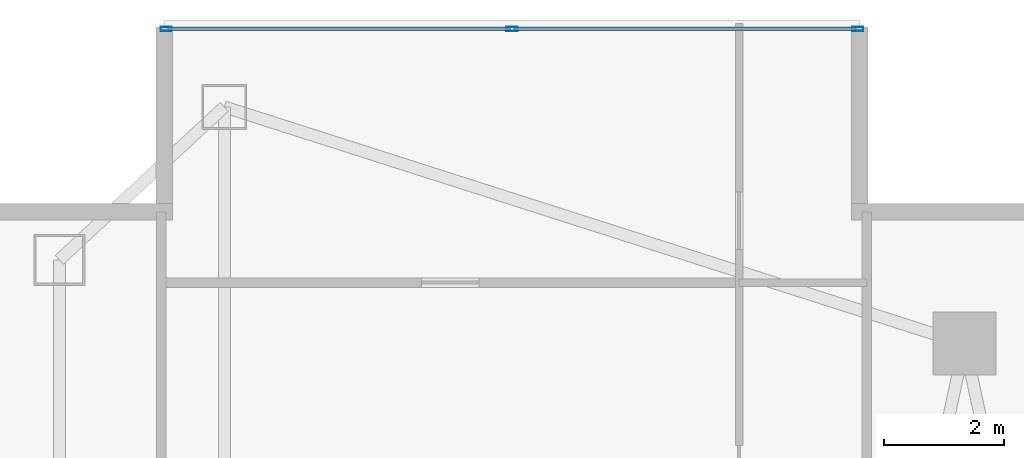
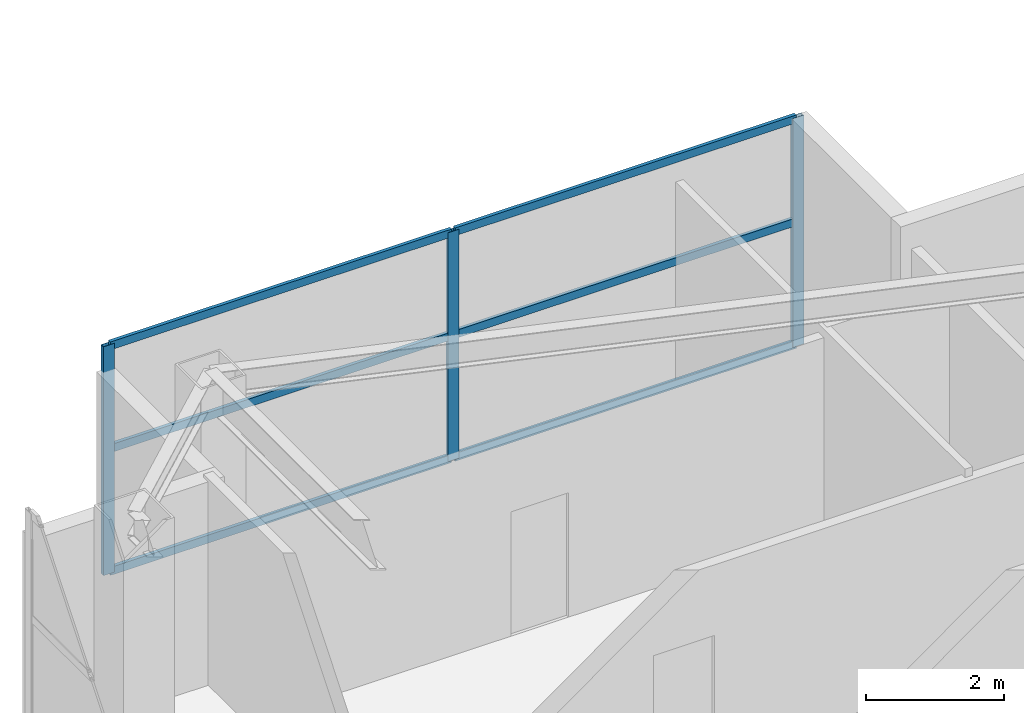
# One storey, part 21 of 30: 9 members, 1 element without a shape of its own.
"""IFC4 building model written with IfcOpenShell, lengths in metres."""

import ifcopenshell
import ifcopenshell.guid

model = None  # the IFC model being written
_history = None  # IfcOwnerHistory: only IFC2X3 demands one
_inside = {}  # id of a spatial element -> (the spatial element, [elements in it])
_under = {}  # id of a project, library or spatial element -> (it, [spatial elements below it])
_declared = {}  # id of a project -> (the project, [libraries it declares])
_typed = {}  # id of a type object -> (the type object, [elements of that type])
_made_of = {}  # id of a material, layer set ... -> (it, [elements and type objects made of it])


def new_model(schema):
    """Start an empty IFC model of exactly this schema.

    Asked for "IFC4X3", IfcOpenShell would pick the latest addendum, in which some entities
    have other attributes; the version numbers below select the first issue.
    IFC2X3 requires an IfcOwnerHistory on every rooted entity: one is made here for all.
    """
    global model, _history
    if schema == "IFC4X3":
        model = ifcopenshell.file(schema_version=(4, 3, 0, 0))
    else:
        model = ifcopenshell.file(schema=schema)
    _inside.clear()
    _under.clear()
    _declared.clear()
    _typed.clear()
    _made_of.clear()
    _history = None
    if model.schema == "IFC2X3":
        org = make("IfcOrganization", Name="unknown")
        user = make(
            "IfcPersonAndOrganization",
            ThePerson=make("IfcPerson", FamilyName="unknown"),
            TheOrganization=org,
        )
        app = make(
            "IfcApplication",
            ApplicationDeveloper=org,
            Version="unknown",
            ApplicationFullName="unknown",
            ApplicationIdentifier="unknown",
        )
        _history = make(
            "IfcOwnerHistory",
            OwningUser=user,
            OwningApplication=app,
            ChangeAction="ADDED",
            CreationDate=0,
        )
    return model


def make(cls, **values):
    """One entity of the class cls with the attributes given. An attribute that is None is left unset."""
    return model.create_entity(
        cls, **{name: value for name, value in values.items() if value is not None}
    )


def rooted(cls, **values):
    """An entity with a GlobalId (a new one), such as an element, a storey or a relation."""
    return make(cls, GlobalId=ifcopenshell.guid.new(), OwnerHistory=_history, **values)


def si_unit(unit_type, name, prefix=None):
    """IfcSIUnit, for example si_unit("LENGTHUNIT", "METRE", prefix="MILLI")."""
    return make("IfcSIUnit", UnitType=unit_type, Prefix=prefix, Name=name)


def assignment(units):
    """IfcUnitAssignment: the units of a project."""
    return None if units is None else make("IfcUnitAssignment", Units=units)


def point(xyz):
    """IfcCartesianPoint."""
    return None if xyz is None else make("IfcCartesianPoint", Coordinates=xyz)


def direction(xyz):
    """IfcDirection."""
    return None if xyz is None else make("IfcDirection", DirectionRatios=xyz)


def frame(location, z_axis=None, x_axis=None):
    """IfcAxis2Placement3D, a coordinate frame: its origin and axes. An axis left out is left unset."""
    return make(
        "IfcAxis2Placement3D",
        Location=point(location),
        Axis=direction(z_axis),
        RefDirection=direction(x_axis),
    )


def frame_2d(location, x_axis=None):
    """IfcAxis2Placement2D, a coordinate frame in the plane: its origin and x axis."""
    return make(
        "IfcAxis2Placement2D", Location=point(location), RefDirection=direction(x_axis)
    )


def origin():
    """The frame at (0, 0, 0) with its axes left unset."""
    return frame((0.0, 0.0, 0.0))


def origin_2d():
    """The frame at (0, 0) in the plane with its x axis left unset."""
    return frame_2d((0.0, 0.0))


def place(relative_to, where):
    """IfcLocalPlacement: puts the frame where relative to a parent placement (None: the world)."""
    return make(
        "IfcLocalPlacement", PlacementRelTo=relative_to, RelativePlacement=where
    )


def context(
    kind, dimensions, precision=None, world=None, true_north=None, identifier=None
):
    """IfcGeometricRepresentationContext, for example the 3D "Model" context."""
    return make(
        "IfcGeometricRepresentationContext",
        ContextIdentifier=identifier,
        ContextType=kind,
        CoordinateSpaceDimension=dimensions,
        Precision=precision,
        WorldCoordinateSystem=world,
        TrueNorth=true_north,
    )


def subcontext(parent, identifier, kind, view, scale=None):
    """IfcGeometricRepresentationSubContext, for example "Body" below "Model"."""
    return make(
        "IfcGeometricRepresentationSubContext",
        ContextIdentifier=identifier,
        ContextType=kind,
        ParentContext=parent,
        TargetScale=scale,
        TargetView=view,
    )


def project(units=None, contexts=None):
    """IfcProject with its units and contexts."""
    return rooted(
        "IfcProject",
        Name="project",
        RepresentationContexts=contexts,
        UnitsInContext=assignment(units),
    )


def spatial(cls, under=None, at=None, **own):
    """A site, building, storey or space (cls), placed at a placement, below another one or the project."""
    s = rooted(cls, ObjectPlacement=at, **own)
    if under is not None:
        _under.setdefault(under.id(), (under, []))[1].append(s)
    return s


def profile(cls, at=None, kind="AREA", **sizes):
    """A parametric profile (cls). Its sizes go by their IFC names, for example OverallWidth=200.0."""
    return make(cls, ProfileType=kind, Position=at, **sizes)


def hollow_rectangle(**sizes):
    """IfcRectangleHollowProfileDef."""
    return profile("IfcRectangleHollowProfileDef", **sizes)


def extrude(swept, where, along, depth):
    """IfcExtrudedAreaSolid: the profile swept, set in the frame where, extruded along a direction by depth."""
    return make(
        "IfcExtrudedAreaSolid",
        SweptArea=swept,
        Position=where,
        ExtrudedDirection=direction(along),
        Depth=depth,
    )


def shape(context_of_items, identifier, shape_type, items):
    """IfcShapeRepresentation: the items that make up one representation, for example the "Body"."""
    return make(
        "IfcShapeRepresentation",
        ContextOfItems=context_of_items,
        RepresentationIdentifier=identifier,
        RepresentationType=shape_type,
        Items=items,
    )


def material(Name=None, Category=None):
    """IfcMaterial."""
    return make("IfcMaterial", Name=Name, Category=Category)


def layer(
    of_material, thickness, ventilated=None, Name=None, Category=None, Priority=None
):
    """IfcMaterialLayer: one layer of a wall or slab, of a material (None: an air gap)."""
    return make(
        "IfcMaterialLayer",
        Material=of_material,
        LayerThickness=thickness,
        IsVentilated=ventilated,
        Name=Name,
        Category=Category,
        Priority=Priority,
    )


def layer_set(layers, Name=None):
    """IfcMaterialLayerSet."""
    return make("IfcMaterialLayerSet", MaterialLayers=layers, LayerSetName=Name)


def material_profile(
    of_material, cross_section, Name=None, Category=None, Priority=None
):
    """IfcMaterialProfile: a cross section and its material."""
    return make(
        "IfcMaterialProfile",
        Name=Name,
        Material=of_material,
        Profile=cross_section,
        Priority=Priority,
        Category=Category,
    )


def profile_set(profiles, Name=None, composite=None):
    """IfcMaterialProfileSet."""
    return make(
        "IfcMaterialProfileSet",
        Name=Name,
        MaterialProfiles=profiles,
        CompositeProfile=composite,
    )


def made_of(thing, what):
    """Note that an element or type object is made of a material, layer set ...; save() writes the relation."""
    if what is not None:
        _made_of.setdefault(what.id(), (what, []))[1].append(thing)
    return thing


def type_object(cls, material=None, **own):
    """A type object (cls), such as IfcWallType, which elements share."""
    return made_of(rooted(cls, **own), material)


def element(
    cls,
    number,
    at=None,
    inside=None,
    cuts=None,
    type_object=None,
    material=None,
    context=None,
    identifier="Body",
    shape_type=None,
    held_by="IfcProductDefinitionShape",
    body=None,
    shapes=None,
    **own,
):
    """One element of the class cls, such as IfcWall. Its Tag is "e" and its number.

    at: its placement. inside: the storey or other place that contains it. cuts: it is an
    opening in that element (IfcRelVoidsElement). A single representation is given by context,
    identifier, shape_type and body (its items); several are given by shapes. held_by: the class
    of the entity that holds the representations. save() writes the other relations.
    """
    e = rooted(cls, Tag="e%d" % number, ObjectPlacement=at, **own)
    if body is not None:
        shapes = [shape(context, identifier, shape_type, body)]
    if shapes is not None:
        e.Representation = make(held_by, Representations=shapes)
    if inside is not None:
        _inside.setdefault(inside.id(), (inside, []))[1].append(e)
    if cuts is not None:
        rooted(
            "IfcRelVoidsElement", RelatingBuildingElement=cuts, RelatedOpeningElement=e
        )
    if type_object is not None:
        _typed.setdefault(type_object.id(), (type_object, []))[1].append(e)
    return made_of(e, material)


def aggregate(whole, parts):
    """IfcRelAggregates: a whole, such as a stair, and the parts it consists of."""
    return rooted("IfcRelAggregates", RelatingObject=whole, RelatedObjects=parts)


def save(model, path):
    """Write the relations noted so far, then the file.

    IfcRelAggregates (storeys below a building ...), IfcRelContainedInSpatialStructure (elements
    in a storey), IfcRelDefinesByType, IfcRelAssociatesMaterial and IfcRelDeclares: one each for
    every whole, place, type object, material and project.
    """
    for whole, parts in _under.values():
        aggregate(whole, parts)
    for where, things in _inside.values():
        rooted(
            "IfcRelContainedInSpatialStructure",
            RelatedElements=things,
            RelatingStructure=where,
        )
    for kind, things in _typed.values():
        rooted("IfcRelDefinesByType", RelatedObjects=things, RelatingType=kind)
    for what, things in _made_of.values():
        rooted("IfcRelAssociatesMaterial", RelatedObjects=things, RelatingMaterial=what)
    for by, libraries in _declared.values():
        rooted("IfcRelDeclares", RelatingContext=by, RelatedDefinitions=libraries)
    model.write(path)


model = new_model("IFC4")

# Units and contexts
model_context = context("Model", 3, precision=1e-05, world=origin(), true_north=direction((0.0, 1.0)))
body_context = subcontext(model_context, "Body", "Model", "MODEL_VIEW")
ifc_project = project(units=[si_unit("LENGTHUNIT", "METRE"), si_unit("AREAUNIT", "SQUARE_METRE"), si_unit("VOLUMEUNIT", "CUBIC_METRE"), si_unit("PLANEANGLEUNIT", "RADIAN"), si_unit("MASSUNIT", "GRAM", prefix="KILO")], contexts=[model_context])

# Site, building, storey
site_placement = place(None, origin())
site = spatial("IfcSite", under=ifc_project, at=site_placement, CompositionType="ELEMENT")
building_placement = place(site_placement, origin())
building = spatial("IfcBuilding", under=site, at=building_placement, Name="Calvorn Quay Hotel", CompositionType="ELEMENT")
storey_placement = place(building_placement, frame((0.0, 0.0, 195.10009765625)))
storey = spatial("IfcBuildingStorey", under=building, at=storey_placement, Name="L48", CompositionType="ELEMENT", Elevation=195.10009765625)

# Curtain wall, members
ifc_material_1 = material(Name="Champagne Bronze Anodised Aluminium and Low-E Glass", Category="aluminium")
ifc_layer = layer(ifc_material_1, 0.219970703125)
ifc_layer_set = layer_set([ifc_layer], Name="CW-SYS-Z3")
curtain_wall_type = type_object("IfcCurtainWallType", Name="CW-SYS-Z3", PredefinedType="NOTDEFINED", material=ifc_layer_set)
curtain_wall_placement = place(storey_placement, origin())
curtain_wall = element("IfcCurtainWall", 1, at=curtain_wall_placement, inside=storey, type_object=curtain_wall_type, Name="Inner Court Curtain Wall L48-N1", PredefinedType="NOTDEFINED")
ifc_material_2 = material(Name="Champagne Bronze Anodised Aluminium 6063-T6", Category="aluminium")
ifc_material_profile_1 = material_profile(ifc_material_2, hollow_rectangle(XDim=0.068115234375, YDim=0.18505859375, WallThickness=0.00390625, at=origin_2d()), Name="ALU-M185x68x4")
ifc_profile_set_1 = profile_set([ifc_material_profile_1], Name="Champagne Bronze Anodised Aluminium 6063-T6")
member_type_1 = type_object("IfcMemberType", Name="CW-SYS-Z3-MUL", PredefinedType="MULLION", material=ifc_profile_set_1)
member_1_placement = place(storey_placement, frame((14.77001953125, 50.85009765625, 0.0), z_axis=(0.0, 0.0, 1.0), x_axis=(0.0, -1.0, 0.0)))
member_1 = element("IfcMember", 2, at=member_1_placement, type_object=member_type_1, Name="CW-L48-N1 mullion 1", PredefinedType="MULLION", context=body_context, shape_type="SweptSolid", body=[
    extrude(hollow_rectangle(XDim=0.068115234375, YDim=0.18505859375, WallThickness=0.00390625, at=origin_2d()), origin(), (0.0, 0.0, 1.0), 4.0498046875),
])
member_2_placement = place(storey_placement, frame((9.0, 50.85009765625, 0.0), z_axis=(0.0, 0.0, 1.0), x_axis=(0.0, -1.0, 0.0)))
member_2 = element("IfcMember", 3, at=member_2_placement, type_object=member_type_1, Name="CW-L48-N1 mullion 2", PredefinedType="MULLION", context=body_context, shape_type="SweptSolid", body=[
    extrude(hollow_rectangle(XDim=0.068115234375, YDim=0.18505859375, WallThickness=0.00390625, at=origin_2d()), origin(), (0.0, 0.0, 1.0), 4.0498046875),
])
member_3_placement = place(storey_placement, frame((3.22998046875, 50.85009765625, 0.0), z_axis=(0.0, 0.0, 1.0), x_axis=(0.0, -1.0, 0.0)))
member_3 = element("IfcMember", 4, at=member_3_placement, type_object=member_type_1, Name="CW-L48-N1 mullion 3", PredefinedType="MULLION", context=body_context, shape_type="SweptSolid", body=[
    extrude(hollow_rectangle(XDim=0.068115234375, YDim=0.18505859375, WallThickness=0.00390625, at=origin_2d()), origin(), (0.0, 0.0, 1.0), 4.0498046875),
])
ifc_material_3 = material(Name="Champagne Bronze Anodised Aluminium 6063-T6", Category="aluminium")
ifc_material_profile_2 = material_profile(ifc_material_3, hollow_rectangle(XDim=0.05810546875, YDim=0.139892578125, WallThickness=0.003173828125, at=origin_2d()), Name="ALU-T140x58x3.2")
ifc_profile_set_2 = profile_set([ifc_material_profile_2], Name="Champagne Bronze Anodised Aluminium 6063-T6")
member_type_2 = type_object("IfcMemberType", Name="CW-SYS-Z3-TRN", PredefinedType="USERDEFINED", material=ifc_profile_set_2)
member_4_placement = place(storey_placement, frame((14.739990234375, 50.85009765625, 0.02978515625), z_axis=(-1.0, 0.0, 0.0), x_axis=(0.0, -1.0, 0.0)))
member_4 = element("IfcMember", 5, at=member_4_placement, type_object=member_type_2, Name="CW-L48-N1 transom 1.1", ObjectType="TRANSOM", PredefinedType="USERDEFINED", context=body_context, shape_type="SweptSolid", body=[
    extrude(hollow_rectangle(XDim=0.05810546875, YDim=0.139892578125, WallThickness=0.003173828125, at=origin_2d()), origin(), (0.0, 0.0, 1.0), 5.7099609375),
])
member_5_placement = place(storey_placement, frame((14.739990234375, 50.85009765625, 2.199951171875), z_axis=(-1.0, 0.0, 0.0), x_axis=(0.0, -1.0, 0.0)))
member_5 = element("IfcMember", 6, at=member_5_placement, type_object=member_type_2, Name="CW-L48-N1 transom 1.2", ObjectType="TRANSOM", PredefinedType="USERDEFINED", context=body_context, shape_type="SweptSolid", body=[
    extrude(hollow_rectangle(XDim=0.05810546875, YDim=0.139892578125, WallThickness=0.003173828125, at=origin_2d()), origin(), (0.0, 0.0, 1.0), 5.7099609375),
])
member_6_placement = place(storey_placement, frame((14.739990234375, 50.85009765625, 4.02001953125), z_axis=(-1.0, 0.0, 0.0), x_axis=(0.0, -1.0, 0.0)))
member_6 = element("IfcMember", 7, at=member_6_placement, type_object=member_type_2, Name="CW-L48-N1 transom 1.3", ObjectType="TRANSOM", PredefinedType="USERDEFINED", context=body_context, shape_type="SweptSolid", body=[
    extrude(hollow_rectangle(XDim=0.05810546875, YDim=0.139892578125, WallThickness=0.003173828125, at=origin_2d()), origin(), (0.0, 0.0, 1.0), 5.7099609375),
])
member_7_placement = place(storey_placement, frame((8.969970703125, 50.85009765625, 0.02978515625), z_axis=(-1.0, 0.0, 0.0), x_axis=(0.0, -1.0, 0.0)))
member_7 = element("IfcMember", 8, at=member_7_placement, type_object=member_type_2, Name="CW-L48-N1 transom 2.1", ObjectType="TRANSOM", PredefinedType="USERDEFINED", context=body_context, shape_type="SweptSolid", body=[
    extrude(hollow_rectangle(XDim=0.05810546875, YDim=0.139892578125, WallThickness=0.003173828125, at=origin_2d()), origin(), (0.0, 0.0, 1.0), 5.7099609375),
])
member_8_placement = place(storey_placement, frame((8.969970703125, 50.85009765625, 2.199951171875), z_axis=(-1.0, 0.0, 0.0), x_axis=(0.0, -1.0, 0.0)))
member_8 = element("IfcMember", 9, at=member_8_placement, type_object=member_type_2, Name="CW-L48-N1 transom 2.2", ObjectType="TRANSOM", PredefinedType="USERDEFINED", context=body_context, shape_type="SweptSolid", body=[
    extrude(hollow_rectangle(XDim=0.05810546875, YDim=0.139892578125, WallThickness=0.003173828125, at=origin_2d()), origin(), (0.0, 0.0, 1.0), 5.7099609375),
])
member_9_placement = place(storey_placement, frame((8.969970703125, 50.85009765625, 4.02001953125), z_axis=(-1.0, 0.0, 0.0), x_axis=(0.0, -1.0, 0.0)))
member_9 = element("IfcMember", 10, at=member_9_placement, type_object=member_type_2, Name="CW-L48-N1 transom 2.3", ObjectType="TRANSOM", PredefinedType="USERDEFINED", context=body_context, shape_type="SweptSolid", body=[
    extrude(hollow_rectangle(XDim=0.05810546875, YDim=0.139892578125, WallThickness=0.003173828125, at=origin_2d()), origin(), (0.0, 0.0, 1.0), 5.7099609375),
])
aggregate(curtain_wall, [member_1, member_2, member_3, member_4, member_5, member_6, member_7, member_8, member_9])

save(model, "model.ifc")
